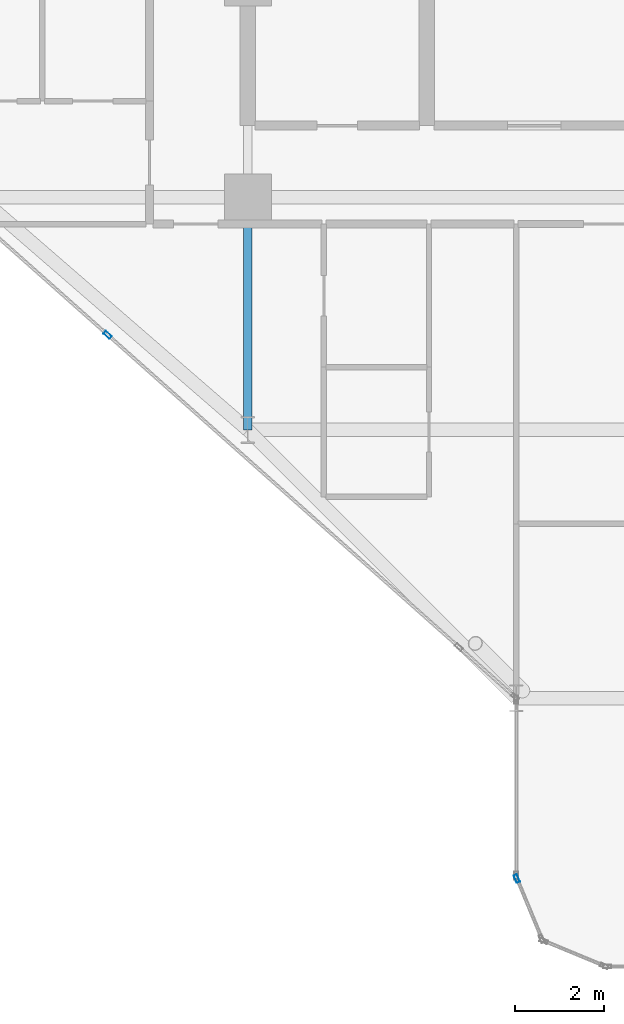
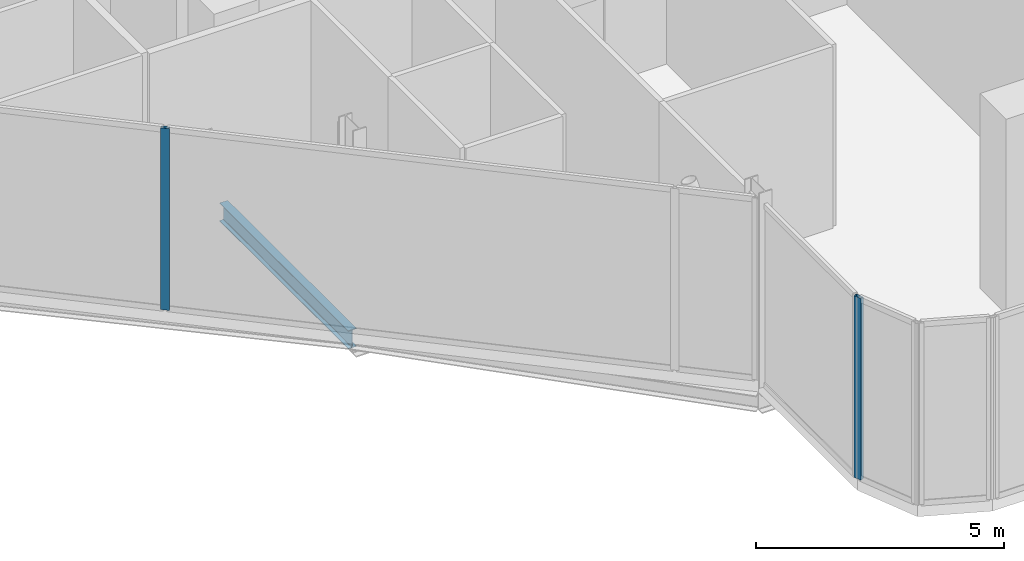
# One storey, part 3 of 29: 2 members, 1 beam, 2 elements without a shape of their own.
"""IFC4 building model written with IfcOpenShell, lengths in metres."""

from ifc_helpers import new_model, si_unit, direction, frame, origin, origin_2d, place, context, subcontext, project, spatial, hollow_rectangle, i_section, extrude, material, layer, layer_set, material_profile, profile_set, type_object, element, aggregate, save


model = new_model("IFC4")

# Units and contexts
model_context = context("Model", 3, precision=1e-05, world=origin(), true_north=direction((0.0, 1.0)))
body_context = subcontext(model_context, "Body", "Model", "MODEL_VIEW")
ifc_project = project(units=[si_unit("LENGTHUNIT", "METRE"), si_unit("AREAUNIT", "SQUARE_METRE"), si_unit("VOLUMEUNIT", "CUBIC_METRE"), si_unit("PLANEANGLEUNIT", "RADIAN"), si_unit("MASSUNIT", "GRAM", prefix="KILO")], contexts=[model_context])

# Site, building, storey
site_placement = place(None, origin())
site = spatial("IfcSite", under=ifc_project, at=site_placement, CompositionType="ELEMENT")
building_placement = place(site_placement, origin())
building = spatial("IfcBuilding", under=site, at=building_placement, Name="Keshet Zoharim Tower", CompositionType="ELEMENT")
storey_placement = place(building_placement, frame((0.0, 0.0, 120.5)))
storey = spatial("IfcBuildingStorey", under=building, at=storey_placement, Name="L29", CompositionType="ELEMENT", Elevation=120.5)

# Beam
ifc_material_1 = material(Name="Steel S355", Category="steel")
ifc_material_profile_1 = material_profile(ifc_material_1, i_section(OverallWidth=0.18994140625, OverallDepth=0.449951171875, WebThickness=0.009521484375, FlangeThickness=0.0146484375, FilletRadius=0.02099609375, at=origin_2d()), Name="IPE450")
ifc_profile_set_1 = profile_set([ifc_material_profile_1], Name="Steel S355")
beam_type = type_object("IfcBeamType", Name="BM-PRI-IP450", PredefinedType="BEAM", material=ifc_profile_set_1)
beam_placement = place(storey_placement, frame((15.0, 12.699951171875, -0.544921875), z_axis=(0.0, 1.0, 0.0), x_axis=(-1.0, 0.0, 0.0)))
element("IfcBeam", 1, at=beam_placement, inside=storey, type_object=beam_type, Name="L29 Primary Girder Y-002", PredefinedType="BEAM", context=body_context, shape_type="SweptSolid", body=[
    extrude(i_section(OverallWidth=0.18994140625, OverallDepth=0.449951171875, WebThickness=0.009521484375, FlangeThickness=0.0146484375, FilletRadius=0.02099609375, at=origin_2d()), origin(), (0.0, 0.0, 1.0), 5.199951171875),
])

# Curtain wall, member
ifc_material_2 = material(Name="Aluminium 6063-T6", Category="aluminium")
ifc_layer = layer(ifc_material_2, 0.14990234375)
ifc_layer_set = layer_set([ifc_layer], Name="Aluminium 6063-T6")
curtain_wall_type = type_object("IfcCurtainWallType", Name="CW-SYS-04", PredefinedType="NOTDEFINED", material=ifc_layer_set)
curtain_wall_1_placement = place(storey_placement, origin())
curtain_wall_1 = element("IfcCurtainWall", 2, at=curtain_wall_1_placement, inside=storey, type_object=curtain_wall_type, Name="L29 Unitised Curtain Wall 05", PredefinedType="NOTDEFINED")
ifc_material_profile_2 = material_profile(ifc_material_2, hollow_rectangle(XDim=0.080078125, YDim=0.179931640625, WallThickness=0.00439453125, at=origin_2d()), Name="MUL-80x180")
ifc_profile_set_2 = profile_set([ifc_material_profile_2], Name="Aluminium 6063-T6")
member_type = type_object("IfcMemberType", Name="CWM-M18", PredefinedType="MULLION", material=ifc_profile_set_2)
member_1_placement = place(storey_placement, frame((21.013427734375, 2.667724609375, 0.0), z_axis=(0.0, 0.0, 1.0), x_axis=(-0.92380975372, -0.382851849847, 0.0)))
member_1 = element("IfcMember", 3, at=member_1_placement, type_object=member_type, Name="CW-04 mullion 2", PredefinedType="MULLION", context=body_context, shape_type="SweptSolid", body=[
    extrude(hollow_rectangle(XDim=0.080078125, YDim=0.179931640625, WallThickness=0.00439453125, at=origin_2d()), origin(), (0.0, 0.0, 1.0), 4.47998046875),
])
aggregate(curtain_wall_1, [member_1])

curtain_wall_2_placement = place(storey_placement, origin())
curtain_wall_2 = element("IfcCurtainWall", 4, at=curtain_wall_2_placement, inside=storey, type_object=curtain_wall_type, Name="L29 Unitised Curtain Wall 07 Part 2", PredefinedType="NOTDEFINED")
member_2_placement = place(storey_placement, frame((11.863037109375, 14.82177734375, 0.0), z_axis=(0.0, 0.0, 1.0), x_axis=(-0.664365320392, -0.747408001737, 0.0)))
member_2 = element("IfcMember", 5, at=member_2_placement, type_object=member_type, Name="CW-04 mullion 2", PredefinedType="MULLION", context=body_context, shape_type="SweptSolid", body=[
    extrude(hollow_rectangle(XDim=0.080078125, YDim=0.179931640625, WallThickness=0.00439453125, at=origin_2d()), origin(), (0.0, 0.0, 1.0), 4.47998046875),
])
aggregate(curtain_wall_2, [member_2])

save(model, "model.ifc")
